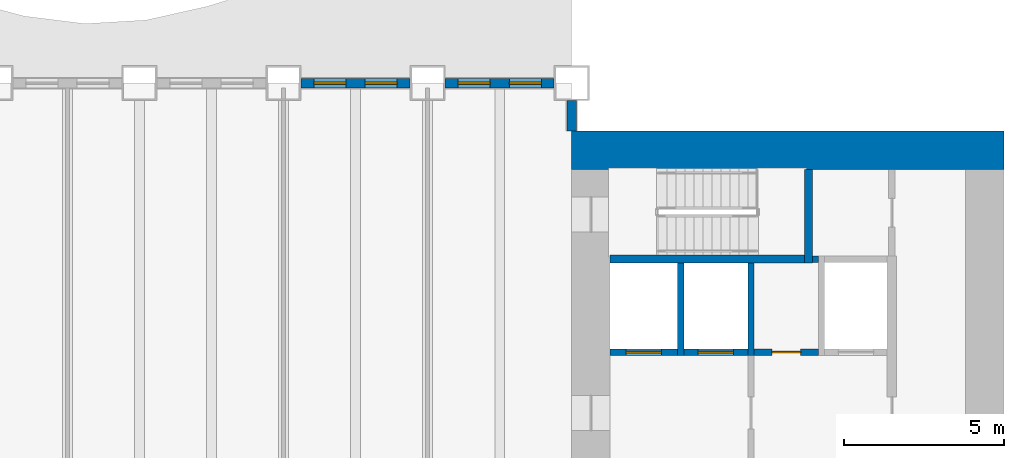
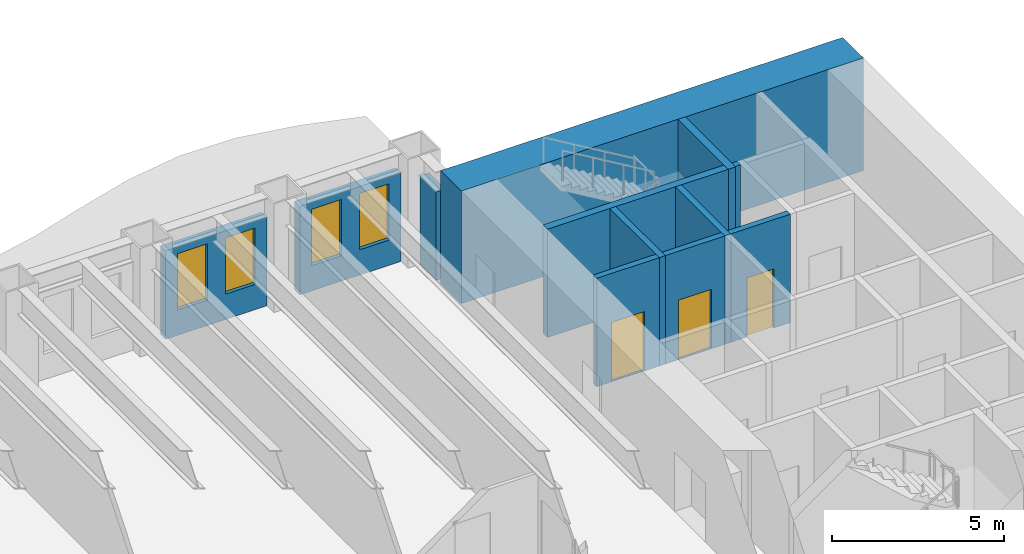
# One storey, part 7 of 17: 12 walls, 4 windows, 3 doors, 7 openings.
"""IFC4 building model written with IfcOpenShell, lengths in metres."""

from ifc_helpers import new_model, si_unit, direction, frame, frame_2d, origin, place, context, subcontext, project, spatial, rectangle, extrude, material, layer, layer_set, type_object, element, fill, save


model = new_model("IFC4")

# Units and contexts
model_context = context("Model", 3, precision=1e-05, world=origin(), true_north=direction((0.0, 1.0)))
body_context = subcontext(model_context, "Body", "Model", "MODEL_VIEW")
ifc_project = project(units=[si_unit("LENGTHUNIT", "METRE"), si_unit("AREAUNIT", "SQUARE_METRE"), si_unit("VOLUMEUNIT", "CUBIC_METRE"), si_unit("PLANEANGLEUNIT", "RADIAN"), si_unit("MASSUNIT", "GRAM", prefix="KILO")], contexts=[model_context])

# Site, building, storey
site_placement = place(None, origin())
site = spatial("IfcSite", under=ifc_project, at=site_placement, CompositionType="ELEMENT")
building_placement = place(site_placement, origin())
building = spatial("IfcBuilding", under=site, at=building_placement, Name="Sennacour Bend Tower", CompositionType="ELEMENT")
storey_placement = place(building_placement, frame((0.0, 0.0, 49.0)))
storey = spatial("IfcBuildingStorey", under=building, at=storey_placement, Name="L10", CompositionType="ELEMENT", Elevation=49.0)

# Wall
ifc_material_1 = material(Name="Concrete C80/95", Category="concrete")
ifc_layer_1 = layer(ifc_material_1, 1.199951171875, Name="Concrete C80/95", Category="concrete")
ifc_layer_set_1 = layer_set([ifc_layer_1], Name="Concrete C80/95")
wall_type_1 = type_object("IfcWallType", Name="Core wall 1200 C80/95", PredefinedType="SHEAR", material=ifc_layer_set_1)
wall_1_placement = place(storey_placement, frame((54.0, 21.89990234375, -0.14990234375), z_axis=(0.0, 0.0, 1.0), x_axis=(1.0, 0.0, 0.0)))
element("IfcWall", 1, at=wall_1_placement, inside=storey, type_object=wall_type_1, Name="Core A wall L10 N", PredefinedType="SHEAR", context=body_context, shape_type="SweptSolid", body=[
    extrude(rectangle(XDim=13.5, YDim=1.199951171875, at=frame_2d((6.75, 0.0))), origin(), (0.0, 0.0, 1.0), 4.0),
])

# Wall, opening, door
ifc_material_2 = material(Name="Fire-rated plasterboard partition on steel studs", Category="steel")
ifc_layer_2 = layer(ifc_material_2, 0.199951171875, Name="Fire-rated plasterboard partition on steel studs", Category="steel")
ifc_layer_set_2 = layer_set([ifc_layer_2], Name="Fire-rated plasterboard partition on steel studs")
wall_type_2 = type_object("IfcWallType", Name="Rated partition 200", PredefinedType="PARTITIONING", material=ifc_layer_set_2)
wall_2_placement = place(storey_placement, frame((59.699951171875, 15.60009765625, 0.0), z_axis=(0.0, 0.0, 1.0), x_axis=(1.0, 0.0, 0.0)))
wall_2 = element("IfcWall", 2, at=wall_2_placement, inside=storey, type_object=wall_type_2, Name="P-L10-W067", PredefinedType="PARTITIONING", context=body_context, shape_type="SweptSolid", body=[
    extrude(rectangle(XDim=2.0, YDim=0.199951171875, at=frame_2d((1.0, 0.0))), origin(), (0.0, 0.0, 1.0), 3.85009765625),
])
opening_1_placement = place(wall_2_placement, frame((0.550048828125, 0.0, 0.0)))
opening_1 = element("IfcOpeningElement", 3, at=opening_1_placement, cuts=wall_2, Name="Opening SV", PredefinedType="OPENING", context=body_context, shape_type="SweptSolid", body=[
    extrude(rectangle(XDim=0.89990234375, YDim=2.10009765625, at=frame_2d((0.449951171875, 1.050048828125))), frame((0.0, 0.10986328125, 0.0), z_axis=(0.0, -1.0, 0.0), x_axis=(1.0, 0.0, 0.0)), (0.0, 0.0, 1.0), 0.219970703125),
])
ifc_material_3 = material(Name="Painted steel", Category="steel")
door_type_1 = type_object("IfcDoorType", Name="DR-SERVICE-900", OperationType="NOTDEFINED", PredefinedType="DOOR", material=ifc_material_3)
door_1_placement = place(opening_1_placement, origin())
door_1 = element("IfcDoor", 4, at=door_1_placement, inside=storey, type_object=door_type_1, Name="Door", OperationType="SINGLE_SWING_RIGHT", OverallHeight=2.10009765625, OverallWidth=0.89990234375, PredefinedType="DOOR", context=body_context, shape_type="SweptSolid", body=[
    extrude(rectangle(XDim=0.89990234375, YDim=2.10009765625, at=frame_2d((0.449951171875, 1.050048828125))), frame((0.0, 0.02490234375, 0.0), z_axis=(0.0, -1.0, 0.0), x_axis=(1.0, 0.0, 0.0)), (0.0, 0.0, 1.0), 0.050048828125),
])
fill(opening_1, door_1)

# Walls
wall_3_placement = place(storey_placement, frame((61.52490234375, 18.5, 0.0), z_axis=(0.0, 0.0, 1.0), x_axis=(1.0, 0.0, 0.0)))
element("IfcWall", 5, at=wall_3_placement, inside=storey, type_object=wall_type_2, Name="P-L10-W070", PredefinedType="PARTITIONING", context=body_context, shape_type="SweptSolid", body=[
    extrude(rectangle(XDim=0.175048828125, YDim=0.199951171875, at=frame_2d((0.08740234375, 0.0))), origin(), (0.0, 0.0, 1.0), 3.85009765625),
])
ifc_material_4 = material(Name="Warm limestone cladding", Category="masonry")
ifc_layer_3 = layer(ifc_material_4, 0.050048828125, Name="Warm limestone cladding", Category="masonry")
ifc_material_5 = material(Name="Precast concrete C40/50", Category="concrete")
ifc_layer_4 = layer(ifc_material_5, 0.25, Name="Precast concrete C40/50", Category="concrete")
ifc_layer_set_3 = layer_set([ifc_layer_3, ifc_layer_4], Name="Precast concrete C40/50 with limestone cladding")
wall_type_3 = type_object("IfcWallType", Name="STONE-CLAD PRECAST SPANDREL 300", PredefinedType="STANDARD", material=ifc_layer_set_3)
wall_4_placement = place(storey_placement, frame((54.0, 22.5, 0.0), z_axis=(0.0, 0.0, 1.0), x_axis=(0.0, 1.0, 0.0)))
element("IfcWall", 6, at=wall_4_placement, inside=storey, type_object=wall_type_3, Name="Stone spandrel and pier wall L10 07.00", PredefinedType="STANDARD", context=body_context, shape_type="SweptSolid", body=[
    extrude(rectangle(XDim=0.949951171875, YDim=0.300048828125, at=frame_2d((0.47509765625, 0.0))), origin(), (0.0, 0.0, 1.0), 3.14404296875),
])

# Wall, openings, windows
wall_5_placement = place(storey_placement, frame((53.449951171875, 24.0, 0.0), z_axis=(0.0, 0.0, 1.0), x_axis=(-1.0, 0.0, 0.0)))
wall_5 = element("IfcWall", 7, at=wall_5_placement, inside=storey, type_object=wall_type_3, Name="Stone spandrel and pier wall L10 08.00", PredefinedType="STANDARD", context=body_context, shape_type="SweptSolid", body=[
    extrude(rectangle(XDim=3.39990234375, YDim=0.300048828125, at=frame_2d((1.699951171875, 0.0))), origin(), (0.0, 0.0, 1.0), 3.14404296875),
])
opening_2_placement = place(wall_5_placement, frame((0.39990234375, 0.0, 0.89990234375)))
opening_2 = element("IfcOpeningElement", 8, at=opening_2_placement, cuts=wall_5, Name="Opening W8", PredefinedType="OPENING", context=body_context, shape_type="SweptSolid", body=[
    extrude(rectangle(XDim=1.0, YDim=2.0, at=frame_2d((0.5, 1.0))), frame((0.0, 0.16015625, 0.0), z_axis=(0.0, -1.0, 0.0), x_axis=(1.0, 0.0, 0.0)), (0.0, 0.0, 1.0), 0.320068359375),
])
opening_3_placement = place(wall_5_placement, frame((2.0, 0.0, 0.89990234375)))
opening_3 = element("IfcOpeningElement", 9, at=opening_3_placement, cuts=wall_5, Name="Opening W8", PredefinedType="OPENING", context=body_context, shape_type="SweptSolid", body=[
    extrude(rectangle(XDim=1.0, YDim=2.0, at=frame_2d((0.5, 1.0))), frame((0.0, 0.16015625, 0.0), z_axis=(0.0, -1.0, 0.0), x_axis=(1.0, 0.0, 0.0)), (0.0, 0.0, 1.0), 0.320068359375),
])
ifc_material_6 = material(Name="Clear low-emissivity glass", Category="glass")
window_type = type_object("IfcWindowType", Name="WIN-RIBBON-1000x2000", PartitioningType="SINGLE_PANEL", PredefinedType="WINDOW", material=ifc_material_6)
window_1_placement = place(opening_2_placement, origin())
window_1 = element("IfcWindow", 10, at=window_1_placement, inside=storey, type_object=window_type, Name="Ribbon window L10 08.00.0", OverallHeight=2.0, OverallWidth=1.0, PartitioningType="SINGLE_PANEL", PredefinedType="WINDOW", context=body_context, shape_type="SweptSolid", body=[
    extrude(rectangle(XDim=1.0, YDim=2.0, at=frame_2d((0.5, 1.0))), frame((0.0, 0.030029296875, 0.0), z_axis=(0.0, -1.0, 0.0), x_axis=(1.0, 0.0, 0.0)), (0.0, 0.0, 1.0), 0.06005859375),
])
fill(opening_2, window_1)
window_2_placement = place(opening_3_placement, origin())
window_2 = element("IfcWindow", 11, at=window_2_placement, inside=storey, type_object=window_type, Name="Ribbon window L10 08.00.1", OverallHeight=2.0, OverallWidth=1.0, PartitioningType="SINGLE_PANEL", PredefinedType="WINDOW", context=body_context, shape_type="SweptSolid", body=[
    extrude(rectangle(XDim=1.0, YDim=2.0, at=frame_2d((0.5, 1.0))), frame((0.0, 0.030029296875, 0.0), z_axis=(0.0, -1.0, 0.0), x_axis=(1.0, 0.0, 0.0)), (0.0, 0.0, 1.0), 0.06005859375),
])
fill(opening_3, window_2)

wall_6_placement = place(storey_placement, frame((48.949951171875, 24.0, 0.0), z_axis=(0.0, 0.0, 1.0), x_axis=(-1.0, 0.0, 0.0)))
wall_6 = element("IfcWall", 12, at=wall_6_placement, inside=storey, type_object=wall_type_3, Name="Stone spandrel and pier wall L10 08.01", PredefinedType="STANDARD", context=body_context, shape_type="SweptSolid", body=[
    extrude(rectangle(XDim=3.39990234375, YDim=0.300048828125, at=frame_2d((1.699951171875, 0.0))), origin(), (0.0, 0.0, 1.0), 3.14404296875),
])
opening_4_placement = place(wall_6_placement, frame((0.39990234375, 0.0, 0.89990234375)))
opening_4 = element("IfcOpeningElement", 13, at=opening_4_placement, cuts=wall_6, Name="Opening W8", PredefinedType="OPENING", context=body_context, shape_type="SweptSolid", body=[
    extrude(rectangle(XDim=1.0, YDim=2.0, at=frame_2d((0.5, 1.0))), frame((0.0, 0.16015625, 0.0), z_axis=(0.0, -1.0, 0.0), x_axis=(1.0, 0.0, 0.0)), (0.0, 0.0, 1.0), 0.320068359375),
])
opening_5_placement = place(wall_6_placement, frame((2.0, 0.0, 0.89990234375)))
opening_5 = element("IfcOpeningElement", 14, at=opening_5_placement, cuts=wall_6, Name="Opening W8", PredefinedType="OPENING", context=body_context, shape_type="SweptSolid", body=[
    extrude(rectangle(XDim=1.0, YDim=2.0, at=frame_2d((0.5, 1.0))), frame((0.0, 0.16015625, 0.0), z_axis=(0.0, -1.0, 0.0), x_axis=(1.0, 0.0, 0.0)), (0.0, 0.0, 1.0), 0.320068359375),
])
window_3_placement = place(opening_4_placement, origin())
window_3 = element("IfcWindow", 15, at=window_3_placement, inside=storey, type_object=window_type, Name="Ribbon window L10 08.01.0", OverallHeight=2.0, OverallWidth=1.0, PartitioningType="SINGLE_PANEL", PredefinedType="WINDOW", context=body_context, shape_type="SweptSolid", body=[
    extrude(rectangle(XDim=1.0, YDim=2.0, at=frame_2d((0.5, 1.0))), frame((0.0, 0.030029296875, 0.0), z_axis=(0.0, -1.0, 0.0), x_axis=(1.0, 0.0, 0.0)), (0.0, 0.0, 1.0), 0.06005859375),
])
fill(opening_4, window_3)
window_4_placement = place(opening_5_placement, origin())
window_4 = element("IfcWindow", 16, at=window_4_placement, inside=storey, type_object=window_type, Name="Ribbon window L10 08.01.1", OverallHeight=2.0, OverallWidth=1.0, PartitioningType="SINGLE_PANEL", PredefinedType="WINDOW", context=body_context, shape_type="SweptSolid", body=[
    extrude(rectangle(XDim=1.0, YDim=2.0, at=frame_2d((0.5, 1.0))), frame((0.0, 0.030029296875, 0.0), z_axis=(0.0, -1.0, 0.0), x_axis=(1.0, 0.0, 0.0)), (0.0, 0.0, 1.0), 0.06005859375),
])
fill(opening_5, window_4)

# Walls
ifc_material_7 = material(Name="Concrete C50/60", Category="concrete")
ifc_layer_5 = layer(ifc_material_7, 0.199951171875, Name="Concrete C50/60", Category="concrete")
ifc_layer_set_4 = layer_set([ifc_layer_5], Name="Concrete C50/60")
wall_type_4 = type_object("IfcWallType", Name="Shaft wall 200", PredefinedType="SOLIDWALL", material=ifc_layer_set_4)
for number, where, z_axis, x_axis, name in (
    (17, (57.39990234375, 15.5, 0.0), (0.0, 0.0, 1.0), (0.0, 1.0, 0.0), "P-L10-W038"),
    (18, (59.60009765625, 15.5, 0.0), (0.0, 0.0, 1.0), (0.0, 1.0, 0.0), "P-L10-W041"),
):
    element("IfcWall", number, at=place(storey_placement, frame(where, z_axis=z_axis, x_axis=x_axis)), inside=storey, type_object=wall_type_4, Name=name, PredefinedType="SOLIDWALL", context=body_context, shape_type="SweptSolid", body=[
        extrude(rectangle(XDim=2.875, YDim=0.199951171875, at=frame_2d((1.4375, 0.0))), origin(), (0.0, 0.0, 1.0), 3.85009765625),
    ])

# Wall, opening, door
wall_7_placement = place(storey_placement, frame((55.199951171875, 15.60009765625, 0.0), z_axis=(0.0, 0.0, 1.0), x_axis=(1.0, 0.0, 0.0)))
wall_7 = element("IfcWall", 19, at=wall_7_placement, inside=storey, type_object=wall_type_4, Name="P-L10-W066a", PredefinedType="SOLIDWALL", context=body_context, shape_type="SweptSolid", body=[
    extrude(rectangle(XDim=2.10009765625, YDim=0.199951171875, at=frame_2d((1.050048828125, 0.0))), origin(), (0.0, 0.0, 1.0), 3.85009765625),
])
opening_6_placement = place(wall_7_placement, frame((0.5, 0.0, 0.011962890625)))
opening_6 = element("IfcOpeningElement", 20, at=opening_6_placement, cuts=wall_7, Name="Opening FLD", PredefinedType="OPENING", context=body_context, shape_type="SweptSolid", body=[
    extrude(rectangle(XDim=1.10009765625, YDim=2.10009765625, at=frame_2d((0.550048828125, 1.050048828125))), frame((0.0, 0.10986328125, 0.0), z_axis=(0.0, -1.0, 0.0), x_axis=(1.0, 0.0, 0.0)), (0.0, 0.0, 1.0), 0.219970703125),
])
ifc_material_8 = material(Name="Stainless steel", Category="steel")
door_type_2 = type_object("IfcDoorType", Name="DR-FF-LANDING-1100", OperationType="NOTDEFINED", PredefinedType="DOOR", material=ifc_material_8)
door_2_placement = place(opening_6_placement, origin())
door_2 = element("IfcDoor", 21, at=door_2_placement, inside=storey, type_object=door_type_2, Name="Fire service lift landing door FA1", OperationType="SLIDING_TO_LEFT", OverallHeight=2.10009765625, OverallWidth=1.10009765625, PredefinedType="DOOR", context=body_context, shape_type="SweptSolid", body=[
    extrude(rectangle(XDim=1.10009765625, YDim=2.10009765625, at=frame_2d((0.550048828125, 1.050048828125))), frame((0.0, 0.02490234375, 0.0), z_axis=(0.0, -1.0, 0.0), x_axis=(1.0, 0.0, 0.0)), (0.0, 0.0, 1.0), 0.050048828125),
])
fill(opening_6, door_2)

wall_8_placement = place(storey_placement, frame((57.5, 15.60009765625, 0.0), z_axis=(0.0, 0.0, 1.0), x_axis=(1.0, 0.0, 0.0)))
wall_8 = element("IfcWall", 22, at=wall_8_placement, inside=storey, type_object=wall_type_4, Name="P-L10-W066b", PredefinedType="SOLIDWALL", context=body_context, shape_type="SweptSolid", body=[
    extrude(rectangle(XDim=2.0, YDim=0.199951171875, at=frame_2d((1.0, 0.0))), origin(), (0.0, 0.0, 1.0), 3.85009765625),
])
opening_7_placement = place(wall_8_placement, frame((0.449951171875, 0.0, 0.011962890625)))
opening_7 = element("IfcOpeningElement", 23, at=opening_7_placement, cuts=wall_8, Name="Opening FLD", PredefinedType="OPENING", context=body_context, shape_type="SweptSolid", body=[
    extrude(rectangle(XDim=1.10009765625, YDim=2.10009765625, at=frame_2d((0.550048828125, 1.050048828125))), frame((0.0, 0.10986328125, 0.0), z_axis=(0.0, -1.0, 0.0), x_axis=(1.0, 0.0, 0.0)), (0.0, 0.0, 1.0), 0.219970703125),
])
door_3_placement = place(opening_7_placement, origin())
door_3 = element("IfcDoor", 24, at=door_3_placement, inside=storey, type_object=door_type_2, Name="Fire service lift landing door FA2", OperationType="SLIDING_TO_RIGHT", OverallHeight=2.10009765625, OverallWidth=1.10009765625, PredefinedType="DOOR", context=body_context, shape_type="SweptSolid", body=[
    extrude(rectangle(XDim=1.10009765625, YDim=2.10009765625, at=frame_2d((0.550048828125, 1.050048828125))), frame((0.0, 0.02490234375, 0.0), z_axis=(0.0, -1.0, 0.0), x_axis=(1.0, 0.0, 0.0)), (0.0, 0.0, 1.0), 0.050048828125),
])
fill(opening_7, door_3)

# Walls
ifc_material_9 = material(Name="Concrete C60/75", Category="concrete")
ifc_layer_6 = layer(ifc_material_9, 0.25, Name="Concrete C60/75", Category="concrete")
ifc_layer_set_5 = layer_set([ifc_layer_6], Name="Concrete C60/75")
wall_type_5 = type_object("IfcWallType", Name="Stair wall 250", PredefinedType="SHEAR", material=ifc_layer_set_5)
wall_9_placement = place(storey_placement, frame((61.39990234375, 18.375, 0.0), z_axis=(0.0, 0.0, 1.0), x_axis=(0.0, 1.0, 0.0)))
element("IfcWall", 25, at=wall_9_placement, inside=storey, type_object=wall_type_5, Name="P-L10-W043", PredefinedType="SHEAR", context=body_context, shape_type="SweptSolid", body=[
    extrude(rectangle(XDim=2.925048828125, YDim=0.25, at=frame_2d((1.46240234375, 0.0))), origin(), (0.0, 0.0, 1.0), 3.85009765625),
])
wall_10_placement = place(storey_placement, frame((55.199951171875, 18.5, 0.0), z_axis=(0.0, 0.0, 1.0), x_axis=(1.0, 0.0, 0.0)))
element("IfcWall", 26, at=wall_10_placement, inside=storey, type_object=wall_type_5, Name="P-L10-W069", PredefinedType="SHEAR", context=body_context, shape_type="SweptSolid", body=[
    extrude(rectangle(XDim=6.074951171875, YDim=0.25, at=frame_2d((3.03759765625, 0.0))), origin(), (0.0, 0.0, 1.0), 3.85009765625),
])

save(model, "model.ifc")
